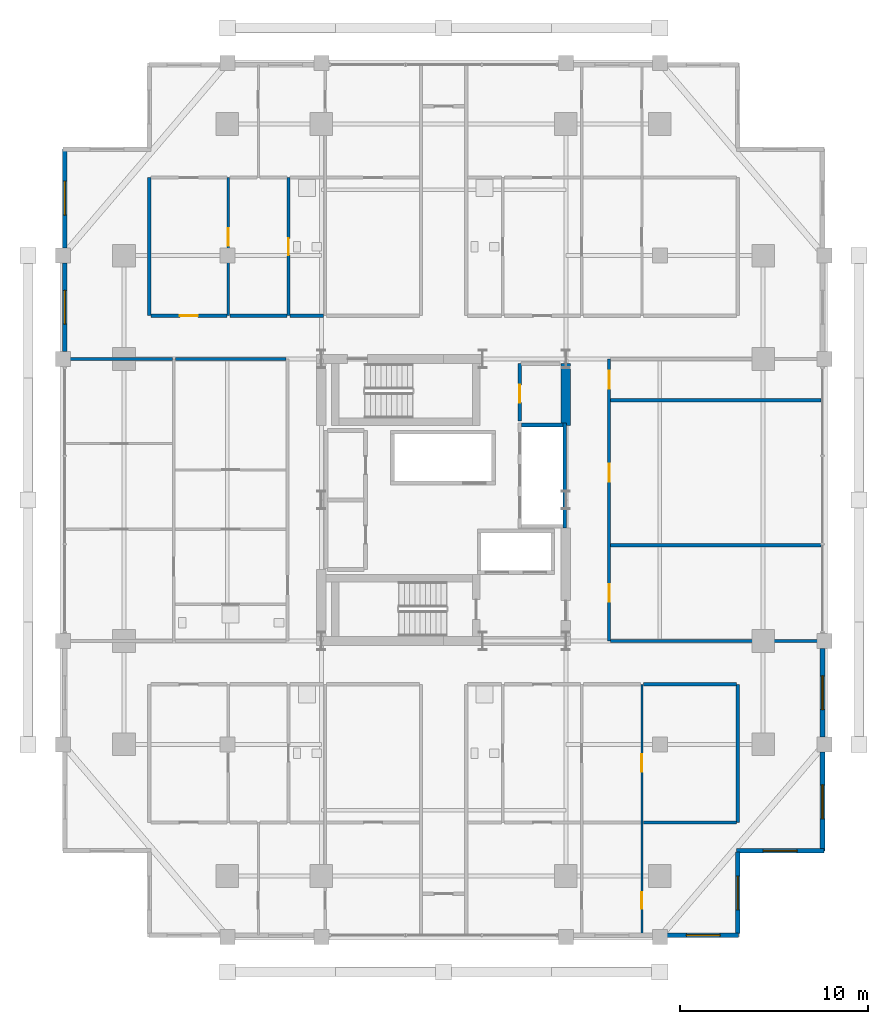
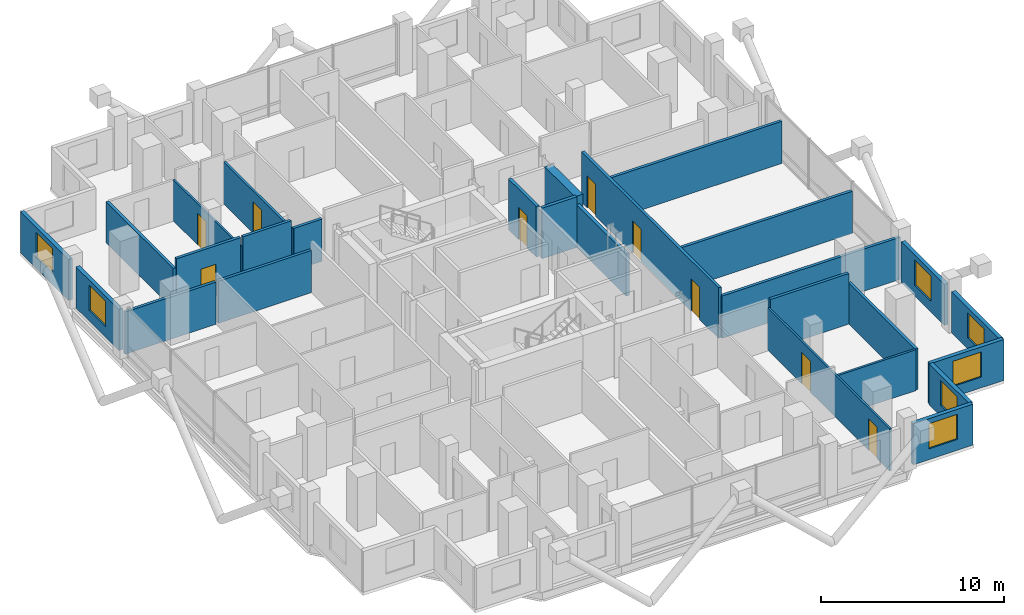
# One storey, part 19 of 23: 27 walls, 9 doors, 7 windows, 16 openings.
"""IFC4 building model written with IfcOpenShell, lengths in metres."""

from ifc_helpers import new_model, si_unit, direction, frame, frame_2d, origin, place, context, subcontext, project, spatial, rectangle, extrude, material, layer, layer_set, type_object, element, fill, save


model = new_model("IFC4")

# Units and contexts
model_context = context("Model", 3, precision=1e-05, world=origin(), true_north=direction((0.0, 1.0)))
body_context = subcontext(model_context, "Body", "Model", "MODEL_VIEW")
ifc_project = project(units=[si_unit("LENGTHUNIT", "METRE"), si_unit("AREAUNIT", "SQUARE_METRE"), si_unit("VOLUMEUNIT", "CUBIC_METRE"), si_unit("PLANEANGLEUNIT", "RADIAN"), si_unit("MASSUNIT", "GRAM", prefix="KILO")], contexts=[model_context])

# Site, building, storey
site_placement = place(None, origin())
site = spatial("IfcSite", under=ifc_project, at=site_placement, CompositionType="ELEMENT")
building_placement = place(site_placement, origin())
building = spatial("IfcBuilding", under=site, at=building_placement, Name="Barlavira Tower and Art Museum", CompositionType="ELEMENT")
storey_placement = place(building_placement, frame((0.0, 0.0, 140.39990234375)))
storey = spatial("IfcBuildingStorey", under=building, at=storey_placement, Name="L35", CompositionType="ELEMENT", Elevation=140.39990234375)

# Wall, opening, door
ifc_material_1 = material(Name="Gypsum acoustic stud partition", Category="gypsum")
ifc_layer_1 = layer(ifc_material_1, 0.1201171875, Name="Gypsum acoustic stud partition")
ifc_layer_set_1 = layer_set([ifc_layer_1], Name="Gypsum acoustic stud partition")
wall_type_1 = type_object("IfcWallType", Name="Apartment Internal Acoustic Partition 120", PredefinedType="PARTITIONING", material=ifc_layer_set_1)
wall_1_placement = place(storey_placement, frame((-11.449951171875, 9.800048828125, 0.0), z_axis=(0.0, 0.0, 1.0), x_axis=(0.0, 1.0, 0.0)))
wall_1 = element("IfcWall", 1, at=wall_1_placement, inside=storey, type_object=wall_type_1, Name="L35 Partition Wall 5", PredefinedType="PARTITIONING", context=body_context, shape_type="SweptSolid", body=[
    extrude(rectangle(XDim=7.349853515625, YDim=0.1201171875, at=frame_2d((3.6748046875, 0.0))), origin(), (0.0, 0.0, 1.0), 2.736083984375),
])
opening_1_placement = place(wall_1_placement, frame((3.71337890625, 0.0, 0.0)))
opening_1 = element("IfcOpeningElement", 2, at=opening_1_placement, cuts=wall_1, Name="Opening D-02", PredefinedType="OPENING", context=body_context, shape_type="SweptSolid", body=[
    extrude(rectangle(XDim=0.949951171875, YDim=2.10009765625, at=frame_2d((0.47509765625, 1.050048828125))), frame((0.0, 0.070068359375, 0.0), z_axis=(0.0, -1.0, 0.0), x_axis=(1.0, 0.0, 0.0)), (0.0, 0.0, 1.0), 0.14013671875),
])
ifc_material_2 = material(Name="Engineered coastal hardwood", Category="wood")
door_type_1 = type_object("IfcDoorType", Name="Living and Salon Glazed-Leaf Door 950x2100", OperationType="NOTDEFINED", PredefinedType="DOOR", material=ifc_material_2)
door_1_placement = place(opening_1_placement, origin())
door_1 = element("IfcDoor", 3, at=door_1_placement, inside=storey, type_object=door_type_1, Name="Apartment NW1 Kitchen Door", OperationType="SINGLE_SWING_RIGHT", OverallHeight=2.10009765625, OverallWidth=0.949951171875, PredefinedType="DOOR", context=body_context, shape_type="SweptSolid", body=[
    extrude(rectangle(XDim=0.949951171875, YDim=2.10009765625, at=frame_2d((0.47509765625, 1.050048828125))), frame((0.0, 0.02490234375, 0.0), z_axis=(0.0, -1.0, 0.0), x_axis=(1.0, 0.0, 0.0)), (0.0, 0.0, 1.0), 0.050048828125),
])
fill(opening_1, door_1)

# Wall, openings, doors
wall_2_placement = place(storey_placement, frame((10.550048828125, -23.14990234375, 0.0), z_axis=(0.0, 0.0, 1.0), x_axis=(0.0, 1.0, 0.0)))
wall_2 = element("IfcWall", 4, at=wall_2_placement, inside=storey, type_object=wall_type_1, Name="L35 Partition Wall 25", PredefinedType="PARTITIONING", context=body_context, shape_type="SweptSolid", body=[
    extrude(rectangle(XDim=13.349853515625, YDim=0.1201171875, at=frame_2d((6.6748046875, 0.0))), origin(), (0.0, 0.0, 1.0), 2.816162109375),
])
opening_2_placement = place(wall_2_placement, frame((8.686767578125, 0.0, 0.0)))
opening_2 = element("IfcOpeningElement", 5, at=opening_2_placement, cuts=wall_2, Name="Opening D-02", PredefinedType="OPENING", context=body_context, shape_type="SweptSolid", body=[
    extrude(rectangle(XDim=0.949951171875, YDim=2.10009765625, at=frame_2d((0.47509765625, 1.050048828125))), frame((0.0, 0.070068359375, 0.0), z_axis=(0.0, -1.0, 0.0), x_axis=(1.0, 0.0, 0.0)), (0.0, 0.0, 1.0), 0.14013671875),
])
opening_3_placement = place(wall_2_placement, frame((1.39892578125, 0.0, 0.0)))
opening_3 = element("IfcOpeningElement", 6, at=opening_3_placement, cuts=wall_2, Name="Opening D-01", PredefinedType="OPENING", context=body_context, shape_type="SweptSolid", body=[
    extrude(rectangle(XDim=0.89990234375, YDim=2.10009765625, at=frame_2d((0.449951171875, 1.050048828125))), frame((0.0, 0.070068359375, 0.0), z_axis=(0.0, -1.0, 0.0), x_axis=(1.0, 0.0, 0.0)), (0.0, 0.0, 1.0), 0.14013671875),
])
door_type_2 = type_object("IfcDoorType", Name="Internal Bedroom Timber Flush Door 900x2100", OperationType="NOTDEFINED", PredefinedType="DOOR", material=ifc_material_2)
door_2_placement = place(opening_3_placement, origin())
door_2 = element("IfcDoor", 7, at=door_2_placement, inside=storey, type_object=door_type_2, Name="Apartment SE1 Bedroom 2 Door", OperationType="SINGLE_SWING_LEFT", OverallHeight=2.10009765625, OverallWidth=0.89990234375, PredefinedType="DOOR", context=body_context, shape_type="SweptSolid", body=[
    extrude(rectangle(XDim=0.89990234375, YDim=2.10009765625, at=frame_2d((0.449951171875, 1.050048828125))), frame((0.0, 0.02490234375, 0.0), z_axis=(0.0, -1.0, 0.0), x_axis=(1.0, 0.0, 0.0)), (0.0, 0.0, 1.0), 0.050048828125),
])
fill(opening_3, door_2)
door_3_placement = place(opening_2_placement, origin())
door_3 = element("IfcDoor", 8, at=door_3_placement, inside=storey, type_object=door_type_1, Name="Apartment SE1 Dining Salon Door", OperationType="SINGLE_SWING_RIGHT", OverallHeight=2.10009765625, OverallWidth=0.949951171875, PredefinedType="DOOR", context=body_context, shape_type="SweptSolid", body=[
    extrude(rectangle(XDim=0.949951171875, YDim=2.10009765625, at=frame_2d((0.47509765625, 1.050048828125))), frame((0.0, 0.02490234375, 0.0), z_axis=(0.0, -1.0, 0.0), x_axis=(1.0, 0.0, 0.0)), (0.0, 0.0, 1.0), 0.050048828125),
])
fill(opening_2, door_3)

# Walls
ifc_material_3 = material(Name="Concrete C60", Category="concrete")
ifc_layer_2 = layer(ifc_material_3, 0.5, Name="Concrete C60")
ifc_layer_set_2 = layer_set([ifc_layer_2], Name="Concrete C60")
wall_type_2 = type_object("IfcWallType", Name="Core Structural Shear Wall 500 Concrete C60", PredefinedType="SHEAR", material=ifc_layer_set_2)
wall_3_placement = place(storey_placement, frame((6.5, 3.949951171875, 0.0), z_axis=(0.0, 0.0, 1.0), x_axis=(0.0, 1.0, 0.0)))
element("IfcWall", 9, at=wall_3_placement, inside=storey, type_object=wall_type_2, Name="L35 Core Shear Wall CS-E2", PredefinedType="SHEAR", context=body_context, shape_type="SweptSolid", body=[
    extrude(rectangle(XDim=3.300048828125, YDim=0.5, at=frame_2d((1.64990234375, 0.0))), origin(), (0.0, 0.0, 1.0), 3.380126953125),
])
ifc_material_4 = material(Name="Autoclaved aerated concrete masonry", Category="masonry")
ifc_layer_3 = layer(ifc_material_4, 0.199951171875, Name="Autoclaved aerated concrete masonry")
ifc_layer_set_3 = layer_set([ifc_layer_3], Name="Autoclaved aerated concrete masonry")
wall_type_3 = type_object("IfcWallType", Name="Fire Compartment and Shaft Wall 200", PredefinedType="SOLIDWALL", material=ifc_layer_set_3)
wall_4_placement = place(storey_placement, frame((6.449951171875, -1.489990234375, 0.0), z_axis=(0.0, 0.0, 1.0), x_axis=(0.0, 1.0, 0.0)))
element("IfcWall", 10, at=wall_4_placement, inside=storey, type_object=wall_type_3, Name="L35 Mid-Rise Lift Back Shaft Wall", PredefinedType="SOLIDWALL", context=body_context, shape_type="SweptSolid", body=[
    extrude(rectangle(XDim=5.580078125, YDim=0.199951171875, at=frame_2d((2.7900390625, 0.0))), origin(), (0.0, 0.0, 1.0), 2.816162109375),
])
wall_5_placement = place(storey_placement, frame((4.14990234375, 3.989990234375, 0.0), z_axis=(0.0, 0.0, 1.0), x_axis=(1.0, 0.0, 0.0)))
element("IfcWall", 11, at=wall_5_placement, inside=storey, type_object=wall_type_3, Name="L35 Mid-Rise Lift North Shaft Wall", PredefinedType="SOLIDWALL", context=body_context, shape_type="SweptSolid", body=[
    extrude(rectangle(XDim=2.2001953125, YDim=0.199951171875, at=frame_2d((1.10009765625, 0.0))), origin(), (0.0, 0.0, 1.0), 3.380126953125),
])

# Wall, opening, door
wall_6_placement = place(storey_placement, frame((4.050048828125, 4.199951171875, 0.0), z_axis=(0.0, 0.0, 1.0), x_axis=(0.0, 1.0, 0.0)))
wall_6 = element("IfcWall", 12, at=wall_6_placement, inside=storey, type_object=wall_type_3, Name="L35 Partition Wall 21", PredefinedType="SOLIDWALL", context=body_context, shape_type="SweptSolid", body=[
    extrude(rectangle(XDim=3.050048828125, YDim=0.199951171875, at=frame_2d((1.52490234375, 0.0))), origin(), (0.0, 0.0, 1.0), 3.380126953125),
])
opening_4_placement = place(wall_6_placement, frame((0.97509765625, 0.0, 0.0)))
opening_4 = element("IfcOpeningElement", 13, at=opening_4_placement, cuts=wall_6, Name="Opening FD-60", PredefinedType="OPENING", context=body_context, shape_type="SweptSolid", body=[
    extrude(rectangle(XDim=0.949951171875, YDim=2.14990234375, at=frame_2d((0.47509765625, 1.074951171875))), frame((0.0, 0.10986328125, 0.0), z_axis=(0.0, -1.0, 0.0), x_axis=(1.0, 0.0, 0.0)), (0.0, 0.0, 1.0), 0.219970703125),
])
ifc_material_5 = material(Name="Brushed stainless steel", Category="steel")
door_type_3 = type_object("IfcDoorType", Name="Apartment Entrance and Riser Fire Door 950x2150 FD60S", OperationType="NOTDEFINED", PredefinedType="DOOR", material=ifc_material_5)
door_4_placement = place(opening_4_placement, origin())
door_4 = element("IfcDoor", 14, at=door_4_placement, inside=storey, type_object=door_type_3, Name="Combined Electrical and Telecom Plant Room Door", OperationType="SINGLE_SWING_RIGHT", OverallHeight=2.14990234375, OverallWidth=0.949951171875, PredefinedType="DOOR", context=body_context, shape_type="SweptSolid", body=[
    extrude(rectangle(XDim=0.949951171875, YDim=2.14990234375, at=frame_2d((0.47509765625, 1.074951171875))), frame((0.0, 0.02490234375, 0.0), z_axis=(0.0, -1.0, 0.0), x_axis=(1.0, 0.0, 0.0)), (0.0, 0.0, 1.0), 0.050048828125),
])
fill(opening_4, door_4)

# Wall
ifc_layer_4 = layer(ifc_material_1, 0.179931640625, Name="Gypsum acoustic stud partition")
ifc_layer_set_4 = layer_set([ifc_layer_4], Name="Gypsum acoustic stud partition")
wall_type_4 = type_object("IfcWallType", Name="Inter-Tenancy Party Partition Wall 180", PredefinedType="PARTITIONING", material=ifc_layer_set_4)
wall_7_placement = place(storey_placement, frame((-15.64990234375, 9.800048828125, 0.0), z_axis=(0.0, 0.0, 1.0), x_axis=(0.0, 1.0, 0.0)))
element("IfcWall", 15, at=wall_7_placement, inside=storey, type_object=wall_type_4, Name="L35 Partition Wall 2", PredefinedType="PARTITIONING", context=body_context, shape_type="SweptSolid", body=[
    extrude(rectangle(XDim=7.349853515625, YDim=0.179931640625, at=frame_2d((3.6748046875, 0.0))), origin(), (0.0, 0.0, 1.0), 2.736083984375),
])

# Wall, openings, doors
wall_8_placement = place(storey_placement, frame((8.800048828125, -7.5, 0.0), z_axis=(0.0, 0.0, 1.0), x_axis=(0.0, 1.0, 0.0)))
wall_8 = element("IfcWall", 16, at=wall_8_placement, inside=storey, type_object=wall_type_4, Name="L35 Partition Wall 24", PredefinedType="PARTITIONING", context=body_context, shape_type="SweptSolid", body=[
    extrude(rectangle(XDim=15.0, YDim=0.179931640625, at=frame_2d((7.5, 0.0))), origin(), (0.0, 0.0, 1.0), 3.380126953125),
])
opening_5_placement = place(wall_8_placement, frame((2.074951171875, 0.0, 0.0)))
opening_5 = element("IfcOpeningElement", 17, at=opening_5_placement, cuts=wall_8, Name="Opening FD-60", PredefinedType="OPENING", context=body_context, shape_type="SweptSolid", body=[
    extrude(rectangle(XDim=0.949951171875, YDim=2.14990234375, at=frame_2d((0.47509765625, 1.074951171875))), frame((0.0, 0.10009765625, 0.0), z_axis=(0.0, -1.0, 0.0), x_axis=(1.0, 0.0, 0.0)), (0.0, 0.0, 1.0), 0.199951171875),
])
opening_6_placement = place(wall_8_placement, frame((8.47509765625, 0.0, 0.0)))
opening_6 = element("IfcOpeningElement", 18, at=opening_6_placement, cuts=wall_8, Name="Opening FD-60", PredefinedType="OPENING", context=body_context, shape_type="SweptSolid", body=[
    extrude(rectangle(XDim=0.949951171875, YDim=2.14990234375, at=frame_2d((0.47509765625, 1.074951171875))), frame((0.0, 0.10009765625, 0.0), z_axis=(0.0, -1.0, 0.0), x_axis=(1.0, 0.0, 0.0)), (0.0, 0.0, 1.0), 0.199951171875),
])
opening_7_placement = place(wall_8_placement, frame((13.425048828125, 0.0, 0.0)))
opening_7 = element("IfcOpeningElement", 19, at=opening_7_placement, cuts=wall_8, Name="Opening FD-60", PredefinedType="OPENING", context=body_context, shape_type="SweptSolid", body=[
    extrude(rectangle(XDim=0.949951171875, YDim=2.14990234375, at=frame_2d((0.47509765625, 1.074951171875))), frame((0.0, 0.10009765625, 0.0), z_axis=(0.0, -1.0, 0.0), x_axis=(1.0, 0.0, 0.0)), (0.0, 0.0, 1.0), 0.199951171875),
])
door_5_placement = place(opening_5_placement, origin())
door_5 = element("IfcDoor", 20, at=door_5_placement, inside=storey, type_object=door_type_3, Name="Resident Rare-Book Reading Room Door", OperationType="SINGLE_SWING_RIGHT", OverallHeight=2.14990234375, OverallWidth=0.949951171875, PredefinedType="DOOR", context=body_context, shape_type="SweptSolid", body=[
    extrude(rectangle(XDim=0.949951171875, YDim=2.14990234375, at=frame_2d((0.47509765625, 1.074951171875))), frame((0.0, 0.02490234375, 0.0), z_axis=(0.0, -1.0, 0.0), x_axis=(1.0, 0.0, 0.0)), (0.0, 0.0, 1.0), 0.050048828125),
])
fill(opening_5, door_5)
door_6_placement = place(opening_6_placement, origin())
door_6 = element("IfcDoor", 21, at=door_6_placement, inside=storey, type_object=door_type_3, Name="Private Coastal Dining Salon Door", OperationType="SINGLE_SWING_LEFT", OverallHeight=2.14990234375, OverallWidth=0.949951171875, PredefinedType="DOOR", context=body_context, shape_type="SweptSolid", body=[
    extrude(rectangle(XDim=0.949951171875, YDim=2.14990234375, at=frame_2d((0.47509765625, 1.074951171875))), frame((0.0, 0.02490234375, 0.0), z_axis=(0.0, -1.0, 0.0), x_axis=(1.0, 0.0, 0.0)), (0.0, 0.0, 1.0), 0.050048828125),
])
fill(opening_6, door_6)
door_7_placement = place(opening_7_placement, origin())
door_7 = element("IfcDoor", 22, at=door_7_placement, inside=storey, type_object=door_type_3, Name="Shared Catering Kitchen Door", OperationType="SINGLE_SWING_RIGHT", OverallHeight=2.14990234375, OverallWidth=0.949951171875, PredefinedType="DOOR", context=body_context, shape_type="SweptSolid", body=[
    extrude(rectangle(XDim=0.949951171875, YDim=2.14990234375, at=frame_2d((0.47509765625, 1.074951171875))), frame((0.0, 0.02490234375, 0.0), z_axis=(0.0, -1.0, 0.0), x_axis=(1.0, 0.0, 0.0)), (0.0, 0.0, 1.0), 0.050048828125),
])
fill(opening_7, door_7)

# Walls
wall_9_placement = place(storey_placement, frame((15.64990234375, -17.14990234375, 0.0), z_axis=(0.0, 0.0, 1.0), x_axis=(0.0, 1.0, 0.0)))
element("IfcWall", 23, at=wall_9_placement, inside=storey, type_object=wall_type_4, Name="L35 Partition Wall 27", PredefinedType="PARTITIONING", context=body_context, shape_type="SweptSolid", body=[
    extrude(rectangle(XDim=7.349853515625, YDim=0.179931640625, at=frame_2d((3.6748046875, 0.0))), origin(), (0.0, 0.0, 1.0), 2.736083984375),
])
wall_10_placement = place(storey_placement, frame((10.6298828125, -9.800048828125, 0.0), z_axis=(0.0, 0.0, 1.0), x_axis=(1.0, 0.0, 0.0)))
element("IfcWall", 24, at=wall_10_placement, inside=storey, type_object=wall_type_4, Name="L35 Partition Wall 46", PredefinedType="PARTITIONING", context=body_context, shape_type="SweptSolid", body=[
    extrude(rectangle(XDim=4.940185546875, YDim=0.179931640625, at=frame_2d((2.47021484375, 0.0))), origin(), (0.0, 0.0, 1.0), 3.380126953125),
])
wall_11_placement = place(storey_placement, frame((8.8798828125, -7.5, 0.0), z_axis=(0.0, 0.0, 1.0), x_axis=(1.0, 0.0, 0.0)))
element("IfcWall", 25, at=wall_11_placement, inside=storey, type_object=wall_type_4, Name="L35 Partition Wall 49", PredefinedType="PARTITIONING", context=body_context, shape_type="SweptSolid", body=[
    extrude(rectangle(XDim=11.27001953125, YDim=0.179931640625, at=frame_2d((5.635009765625, 0.0))), origin(), (0.0, 0.0, 1.0), 2.816162109375),
])
for number, where, z_axis, x_axis, name in (
    (26, (8.8798828125, -2.39990234375, 0.0), (0.0, 0.0, 1.0), (1.0, 0.0, 0.0), "L35 Partition Wall 52"),
    (27, (8.8798828125, 5.300048828125, 0.0), (0.0, 0.0, 1.0), (1.0, 0.0, 0.0), "L35 Partition Wall 59"),
):
    element("IfcWall", number, at=place(storey_placement, frame(where, z_axis=z_axis, x_axis=x_axis)), inside=storey, type_object=wall_type_4, Name=name, PredefinedType="PARTITIONING", context=body_context, shape_type="SweptSolid", body=[
        extrude(rectangle(XDim=11.190185546875, YDim=0.179931640625, at=frame_2d((5.59521484375, 0.0))), origin(), (0.0, 0.0, 1.0), 2.816162109375),
    ])
wall_12_placement = place(storey_placement, frame((-20.14990234375, 7.5, 0.0), z_axis=(0.0, 0.0, 1.0), x_axis=(1.0, 0.0, 0.0)))
element("IfcWall", 28, at=wall_12_placement, inside=storey, type_object=wall_type_4, Name="L35 Partition Wall 61", PredefinedType="PARTITIONING", context=body_context, shape_type="SweptSolid", body=[
    extrude(rectangle(XDim=5.719970703125, YDim=0.179931640625, at=frame_2d((2.85986328125, 0.0))), origin(), (0.0, 0.0, 1.0), 2.816162109375),
])
wall_13_placement = place(storey_placement, frame((-14.27001953125, 7.5, 0.0), z_axis=(0.0, 0.0, 1.0), x_axis=(1.0, 0.0, 0.0)))
element("IfcWall", 29, at=wall_13_placement, inside=storey, type_object=wall_type_4, Name="L35 Partition Wall 62", PredefinedType="PARTITIONING", context=body_context, shape_type="SweptSolid", body=[
    extrude(rectangle(XDim=5.89013671875, YDim=0.179931640625, at=frame_2d((2.945068359375, 0.0))), origin(), (0.0, 0.0, 1.0), 2.816162109375),
])

# Wall, opening, door
wall_14_placement = place(storey_placement, frame((-15.570068359375, 9.800048828125, 0.0), z_axis=(0.0, 0.0, 1.0), x_axis=(1.0, 0.0, 0.0)))
wall_14 = element("IfcWall", 30, at=wall_14_placement, inside=storey, type_object=wall_type_4, Name="L35 Partition Wall 64", PredefinedType="PARTITIONING", context=body_context, shape_type="SweptSolid", body=[
    extrude(rectangle(XDim=4.0400390625, YDim=0.179931640625, at=frame_2d((2.02001953125, 0.0))), origin(), (0.0, 0.0, 1.0), 3.380126953125),
])
opening_8_placement = place(wall_14_placement, frame((1.544921875, 0.0, 0.0)))
opening_8 = element("IfcOpeningElement", 31, at=opening_8_placement, cuts=wall_14, Name="Opening FD-60", PredefinedType="OPENING", context=body_context, shape_type="SweptSolid", body=[
    extrude(rectangle(XDim=0.949951171875, YDim=2.14990234375, at=frame_2d((0.47509765625, 1.074951171875))), frame((0.0, 0.10009765625, 0.0), z_axis=(0.0, -1.0, 0.0), x_axis=(1.0, 0.0, 0.0)), (0.0, 0.0, 1.0), 0.199951171875),
])
door_8_placement = place(opening_8_placement, origin())
door_8 = element("IfcDoor", 32, at=door_8_placement, inside=storey, type_object=door_type_3, Name="Apartment Entrance Hall NW1 Door", OperationType="SINGLE_SWING_LEFT", OverallHeight=2.14990234375, OverallWidth=0.949951171875, PredefinedType="DOOR", context=body_context, shape_type="SweptSolid", body=[
    extrude(rectangle(XDim=0.949951171875, YDim=2.14990234375, at=frame_2d((0.47509765625, 1.074951171875))), frame((0.0, 0.02490234375, 0.0), z_axis=(0.0, -1.0, 0.0), x_axis=(1.0, 0.0, 0.0)), (0.0, 0.0, 1.0), 0.050048828125),
])
fill(opening_8, door_8)

# Walls
wall_15_placement = place(storey_placement, frame((-11.3701171875, 9.800048828125, 0.0), z_axis=(0.0, 0.0, 1.0), x_axis=(1.0, 0.0, 0.0)))
element("IfcWall", 33, at=wall_15_placement, inside=storey, type_object=wall_type_4, Name="L35 Partition Wall 65", PredefinedType="PARTITIONING", context=body_context, shape_type="SweptSolid", body=[
    extrude(rectangle(XDim=3.0400390625, YDim=0.179931640625, at=frame_2d((1.52001953125, 0.0))), origin(), (0.0, 0.0, 1.0), 3.380126953125),
])
wall_16_placement = place(storey_placement, frame((-8.169921875, 9.800048828125, 0.0), z_axis=(0.0, 0.0, 1.0), x_axis=(1.0, 0.0, 0.0)))
element("IfcWall", 34, at=wall_16_placement, inside=storey, type_object=wall_type_4, Name="L35 Partition Wall 66", PredefinedType="PARTITIONING", context=body_context, shape_type="SweptSolid", body=[
    extrude(rectangle(XDim=1.7900390625, YDim=0.179931640625, at=frame_2d((0.89501953125, 0.0))), origin(), (0.0, 0.0, 1.0), 2.816162109375),
])

# Wall, opening, door
ifc_layer_5 = layer(ifc_material_1, 0.139892578125, Name="Gypsum acoustic stud partition")
ifc_layer_set_5 = layer_set([ifc_layer_5], Name="Gypsum acoustic stud partition")
wall_type_5 = type_object("IfcWallType", Name="Moisture-Resistant Bathroom Partition 140", PredefinedType="PARTITIONING", material=ifc_layer_set_5)
wall_17_placement = place(storey_placement, frame((-8.25, 9.800048828125, 0.0), z_axis=(0.0, 0.0, 1.0), x_axis=(0.0, 1.0, 0.0)))
wall_17 = element("IfcWall", 35, at=wall_17_placement, inside=storey, type_object=wall_type_5, Name="L35 Partition Wall 10", PredefinedType="PARTITIONING", context=body_context, shape_type="SweptSolid", body=[
    extrude(rectangle(XDim=7.349853515625, YDim=0.139892578125, at=frame_2d((3.6748046875, 0.0))), origin(), (0.0, 0.0, 1.0), 2.816162109375),
])
opening_9_placement = place(wall_17_placement, frame((3.219970703125, 0.0, 0.0)))
opening_9 = element("IfcOpeningElement", 36, at=opening_9_placement, cuts=wall_17, Name="Opening D-WC", PredefinedType="OPENING", context=body_context, shape_type="SweptSolid", body=[
    extrude(rectangle(XDim=0.89990234375, YDim=2.10009765625, at=frame_2d((0.449951171875, 1.050048828125))), frame((0.0, 0.080078125, 0.0), z_axis=(0.0, -1.0, 0.0), x_axis=(1.0, 0.0, 0.0)), (0.0, 0.0, 1.0), 0.159912109375),
])
door_type_4 = type_object("IfcDoorType", Name="Accessible Bathroom Flush Door 900x2100", OperationType="NOTDEFINED", PredefinedType="DOOR", material=ifc_material_2)
door_9_placement = place(opening_9_placement, origin())
door_9 = element("IfcDoor", 37, at=door_9_placement, inside=storey, type_object=door_type_4, Name="Apartment NW1 Hall Bathroom Door", OperationType="SINGLE_SWING_LEFT", OverallHeight=2.10009765625, OverallWidth=0.89990234375, PredefinedType="DOOR", context=body_context, shape_type="SweptSolid", body=[
    extrude(rectangle(XDim=0.89990234375, YDim=2.10009765625, at=frame_2d((0.449951171875, 1.050048828125))), frame((0.0, 0.02490234375, 0.0), z_axis=(0.0, -1.0, 0.0), x_axis=(1.0, 0.0, 0.0)), (0.0, 0.0, 1.0), 0.050048828125),
])
fill(opening_9, door_9)

# Wall
wall_18_placement = place(storey_placement, frame((10.6298828125, -17.14990234375, 0.0), z_axis=(0.0, 0.0, 1.0), x_axis=(1.0, 0.0, 0.0)))
element("IfcWall", 38, at=wall_18_placement, inside=storey, type_object=wall_type_5, Name="L35 Partition Wall 38", PredefinedType="PARTITIONING", context=body_context, shape_type="SweptSolid", body=[
    extrude(rectangle(XDim=4.940185546875, YDim=0.139892578125, at=frame_2d((2.47021484375, 0.0))), origin(), (0.0, 0.0, 1.0), 2.736083984375),
])

# Wall, opening, window
ifc_material_6 = material(Name="Precast concrete C40", Category="concrete")
ifc_layer_6 = layer(ifc_material_6, 0.25, Name="Precast concrete C40")
ifc_layer_set_6 = layer_set([ifc_layer_6], Name="Precast concrete C40")
wall_type_6 = type_object("IfcWallType", Name="Notched Corner Spandrel Wall 250 Precast Concrete C40", PredefinedType="SOLIDWALL", material=ifc_layer_set_6)
wall_19_placement = place(storey_placement, frame((11.89501953125, -23.14990234375, 0.0), z_axis=(0.0, 0.0, 1.0), x_axis=(1.0, 0.0, 0.0)))
wall_19 = element("IfcWall", 39, at=wall_19_placement, inside=storey, type_object=wall_type_6, Name="L35 Coastal Facade Pier Wall CW2-L35-S-5", PredefinedType="SOLIDWALL", context=body_context, shape_type="SweptSolid", body=[
    extrude(rectangle(XDim=3.780029296875, YDim=0.25, at=frame_2d((1.89013671875, 0.0))), origin(), (0.0, 0.0, 1.0), 2.736083984375),
])
opening_10_placement = place(wall_19_placement, frame((1.012939453125, 0.0, 0.719970703125)))
opening_10 = element("IfcOpeningElement", 40, at=opening_10_placement, cuts=wall_19, Name="Opening WN-01", PredefinedType="OPENING", context=body_context, shape_type="SweptSolid", body=[
    extrude(rectangle(XDim=1.800048828125, YDim=1.679931640625, at=frame_2d((0.89990234375, 0.83984375))), frame((0.0, 0.135009765625, 0.0), z_axis=(0.0, -1.0, 0.0), x_axis=(1.0, 0.0, 0.0)), (0.0, 0.0, 1.0), 0.27001953125),
])
ifc_material_7 = material(Name="Low-iron coastal laminated glass", Category="glass")
window_type = type_object("IfcWindowType", Name="Recessed Notch Corner Punch Window 1800x1680", PartitioningType="SINGLE_PANEL", PredefinedType="WINDOW", material=ifc_material_7)
window_1_placement = place(opening_10_placement, origin())
window_1 = element("IfcWindow", 41, at=window_1_placement, inside=storey, type_object=window_type, Name="L35 Punched Facade Window EWP-CW2-L35-S-5-1", OverallHeight=1.679931640625, OverallWidth=1.800048828125, PartitioningType="SINGLE_PANEL", PredefinedType="WINDOW", context=body_context, shape_type="SweptSolid", body=[
    extrude(rectangle(XDim=1.800048828125, YDim=1.679931640625, at=frame_2d((0.89990234375, 0.83984375))), frame((0.0, 0.030029296875, 0.0), z_axis=(0.0, -1.0, 0.0), x_axis=(1.0, 0.0, 0.0)), (0.0, 0.0, 1.0), 0.06005859375),
])
fill(opening_10, window_1)

wall_20_placement = place(storey_placement, frame((-20.14990234375, 18.675048828125, 0.0), z_axis=(0.0, 0.0, 1.0), x_axis=(0.0, -1.0, 0.0)))
wall_20 = element("IfcWall", 42, at=wall_20_placement, inside=storey, type_object=wall_type_6, Name="L35 Coastal Facade Pier Wall CW2-L35-W-1", PredefinedType="SOLIDWALL", context=body_context, shape_type="SweptSolid", body=[
    extrude(rectangle(XDim=5.280029296875, YDim=0.25, at=frame_2d((2.64013671875, 0.0))), origin(), (0.0, 0.0, 1.0), 2.736083984375),
])
opening_11_placement = place(wall_20_placement, frame((1.718017578125, 0.0, 0.719970703125)))
opening_11 = element("IfcOpeningElement", 43, at=opening_11_placement, cuts=wall_20, Name="Opening WN-01", PredefinedType="OPENING", context=body_context, shape_type="SweptSolid", body=[
    extrude(rectangle(XDim=1.800048828125, YDim=1.679931640625, at=frame_2d((0.89990234375, 0.83984375))), frame((0.0, 0.135009765625, 0.0), z_axis=(0.0, -1.0, 0.0), x_axis=(1.0, 0.0, 0.0)), (0.0, 0.0, 1.0), 0.27001953125),
])
window_2_placement = place(opening_11_placement, origin())
window_2 = element("IfcWindow", 44, at=window_2_placement, inside=storey, type_object=window_type, Name="L35 Punched Facade Window EWP-CW2-L35-W-1-1", OverallHeight=1.679931640625, OverallWidth=1.800048828125, PartitioningType="SINGLE_PANEL", PredefinedType="WINDOW", context=body_context, shape_type="SweptSolid", body=[
    extrude(rectangle(XDim=1.800048828125, YDim=1.679931640625, at=frame_2d((0.89990234375, 0.83984375))), frame((0.0, 0.030029296875, 0.0), z_axis=(0.0, -1.0, 0.0), x_axis=(1.0, 0.0, 0.0)), (0.0, 0.0, 1.0), 0.06005859375),
])
fill(opening_11, window_2)

wall_21_placement = place(storey_placement, frame((-20.14990234375, 12.60498046875, 0.0), z_axis=(0.0, 0.0, 1.0), x_axis=(0.0, -1.0, 0.0)))
wall_21 = element("IfcWall", 45, at=wall_21_placement, inside=storey, type_object=wall_type_6, Name="L35 Coastal Facade Pier Wall CW2-L35-W-2", PredefinedType="SOLIDWALL", context=body_context, shape_type="SweptSolid", body=[
    extrude(rectangle(XDim=4.7099609375, YDim=0.25, at=frame_2d((2.35498046875, 0.0))), origin(), (0.0, 0.0, 1.0), 2.736083984375),
])
opening_12_placement = place(wall_21_placement, frame((1.455078125, 0.0, 0.719970703125)))
opening_12 = element("IfcOpeningElement", 46, at=opening_12_placement, cuts=wall_21, Name="Opening WN-01", PredefinedType="OPENING", context=body_context, shape_type="SweptSolid", body=[
    extrude(rectangle(XDim=1.800048828125, YDim=1.679931640625, at=frame_2d((0.89990234375, 0.83984375))), frame((0.0, 0.135009765625, 0.0), z_axis=(0.0, -1.0, 0.0), x_axis=(1.0, 0.0, 0.0)), (0.0, 0.0, 1.0), 0.27001953125),
])
window_3_placement = place(opening_12_placement, origin())
window_3 = element("IfcWindow", 47, at=window_3_placement, inside=storey, type_object=window_type, Name="L35 Punched Facade Window EWP-CW2-L35-W-2-1", OverallHeight=1.679931640625, OverallWidth=1.800048828125, PartitioningType="SINGLE_PANEL", PredefinedType="WINDOW", context=body_context, shape_type="SweptSolid", body=[
    extrude(rectangle(XDim=1.800048828125, YDim=1.679931640625, at=frame_2d((0.89990234375, 0.83984375))), frame((0.0, 0.030029296875, 0.0), z_axis=(0.0, -1.0, 0.0), x_axis=(1.0, 0.0, 0.0)), (0.0, 0.0, 1.0), 0.06005859375),
])
fill(opening_12, window_3)

wall_22_placement = place(storey_placement, frame((20.14990234375, -18.675048828125, 0.0), z_axis=(0.0, 0.0, 1.0), x_axis=(0.0, 1.0, 0.0)))
wall_22 = element("IfcWall", 48, at=wall_22_placement, inside=storey, type_object=wall_type_6, Name="L35 Coastal Facade Pier Wall CW2-L35-E-1", PredefinedType="SOLIDWALL", context=body_context, shape_type="SweptSolid", body=[
    extrude(rectangle(XDim=5.280029296875, YDim=0.25, at=frame_2d((2.64013671875, 0.0))), origin(), (0.0, 0.0, 1.0), 2.736083984375),
])
opening_13_placement = place(wall_22_placement, frame((1.718017578125, 0.0, 0.719970703125)))
opening_13 = element("IfcOpeningElement", 49, at=opening_13_placement, cuts=wall_22, Name="Opening WN-01", PredefinedType="OPENING", context=body_context, shape_type="SweptSolid", body=[
    extrude(rectangle(XDim=1.800048828125, YDim=1.679931640625, at=frame_2d((0.89990234375, 0.83984375))), frame((0.0, 0.135009765625, 0.0), z_axis=(0.0, -1.0, 0.0), x_axis=(1.0, 0.0, 0.0)), (0.0, 0.0, 1.0), 0.27001953125),
])
window_4_placement = place(opening_13_placement, origin())
window_4 = element("IfcWindow", 50, at=window_4_placement, inside=storey, type_object=window_type, Name="L35 Punched Facade Window EWP-CW2-L35-E-1-1", OverallHeight=1.679931640625, OverallWidth=1.800048828125, PartitioningType="SINGLE_PANEL", PredefinedType="WINDOW", context=body_context, shape_type="SweptSolid", body=[
    extrude(rectangle(XDim=1.800048828125, YDim=1.679931640625, at=frame_2d((0.89990234375, 0.83984375))), frame((0.0, 0.030029296875, 0.0), z_axis=(0.0, -1.0, 0.0), x_axis=(1.0, 0.0, 0.0)), (0.0, 0.0, 1.0), 0.06005859375),
])
fill(opening_13, window_4)

wall_23_placement = place(storey_placement, frame((20.14990234375, -12.60498046875, 0.0), z_axis=(0.0, 0.0, 1.0), x_axis=(0.0, 1.0, 0.0)))
wall_23 = element("IfcWall", 51, at=wall_23_placement, inside=storey, type_object=wall_type_6, Name="L35 Coastal Facade Pier Wall CW2-L35-E-2", PredefinedType="SOLIDWALL", context=body_context, shape_type="SweptSolid", body=[
    extrude(rectangle(XDim=4.7099609375, YDim=0.25, at=frame_2d((2.35498046875, 0.0))), origin(), (0.0, 0.0, 1.0), 2.736083984375),
])
opening_14_placement = place(wall_23_placement, frame((1.455078125, 0.0, 0.719970703125)))
opening_14 = element("IfcOpeningElement", 52, at=opening_14_placement, cuts=wall_23, Name="Opening WN-01", PredefinedType="OPENING", context=body_context, shape_type="SweptSolid", body=[
    extrude(rectangle(XDim=1.800048828125, YDim=1.679931640625, at=frame_2d((0.89990234375, 0.83984375))), frame((0.0, 0.135009765625, 0.0), z_axis=(0.0, -1.0, 0.0), x_axis=(1.0, 0.0, 0.0)), (0.0, 0.0, 1.0), 0.27001953125),
])
window_5_placement = place(opening_14_placement, origin())
window_5 = element("IfcWindow", 53, at=window_5_placement, inside=storey, type_object=window_type, Name="L35 Punched Facade Window EWP-CW2-L35-E-2-1", OverallHeight=1.679931640625, OverallWidth=1.800048828125, PartitioningType="SINGLE_PANEL", PredefinedType="WINDOW", context=body_context, shape_type="SweptSolid", body=[
    extrude(rectangle(XDim=1.800048828125, YDim=1.679931640625, at=frame_2d((0.89990234375, 0.83984375))), frame((0.0, 0.030029296875, 0.0), z_axis=(0.0, -1.0, 0.0), x_axis=(1.0, 0.0, 0.0)), (0.0, 0.0, 1.0), 0.06005859375),
])
fill(opening_14, window_5)

wall_24_placement = place(storey_placement, frame((15.64990234375, -23.070068359375, 0.0), z_axis=(0.0, 0.0, 1.0), x_axis=(0.0, 1.0, 0.0)))
wall_24 = element("IfcWall", 54, at=wall_24_placement, inside=storey, type_object=wall_type_6, Name="L35 Notch Corner Wall SE1", PredefinedType="SOLIDWALL", context=body_context, shape_type="SweptSolid", body=[
    extrude(rectangle(XDim=4.340087890625, YDim=0.25, at=frame_2d((2.169921875, 0.0))), origin(), (0.0, 0.0, 1.0), 2.736083984375),
])
opening_15_placement = place(wall_24_placement, frame((1.27001953125, 0.0, 0.719970703125)))
opening_15 = element("IfcOpeningElement", 55, at=opening_15_placement, cuts=wall_24, Name="Opening WN-01", PredefinedType="OPENING", context=body_context, shape_type="SweptSolid", body=[
    extrude(rectangle(XDim=1.800048828125, YDim=1.679931640625, at=frame_2d((0.89990234375, 0.83984375))), frame((0.0, 0.135009765625, 0.0), z_axis=(0.0, -1.0, 0.0), x_axis=(1.0, 0.0, 0.0)), (0.0, 0.0, 1.0), 0.27001953125),
])
window_6_placement = place(opening_15_placement, origin())
window_6 = element("IfcWindow", 56, at=window_6_placement, inside=storey, type_object=window_type, Name="L35 Punched Facade Window EW-NTC-L35-SE1-1", OverallHeight=1.679931640625, OverallWidth=1.800048828125, PartitioningType="SINGLE_PANEL", PredefinedType="WINDOW", context=body_context, shape_type="SweptSolid", body=[
    extrude(rectangle(XDim=1.800048828125, YDim=1.679931640625, at=frame_2d((0.89990234375, 0.83984375))), frame((0.0, 0.030029296875, 0.0), z_axis=(0.0, -1.0, 0.0), x_axis=(1.0, 0.0, 0.0)), (0.0, 0.0, 1.0), 0.06005859375),
])
fill(opening_15, window_6)

wall_25_placement = place(storey_placement, frame((15.570068359375, -18.64990234375, 0.0), z_axis=(0.0, 0.0, 1.0), x_axis=(1.0, 0.0, 0.0)))
wall_25 = element("IfcWall", 57, at=wall_25_placement, inside=storey, type_object=wall_type_6, Name="L35 Notch Corner Wall SE2", PredefinedType="SOLIDWALL", context=body_context, shape_type="SweptSolid", body=[
    extrude(rectangle(XDim=4.659912109375, YDim=0.25, at=frame_2d((2.330078125, 0.0))), origin(), (0.0, 0.0, 1.0), 2.736083984375),
])
opening_16_placement = place(wall_25_placement, frame((1.429931640625, 0.0, 0.719970703125)))
opening_16 = element("IfcOpeningElement", 58, at=opening_16_placement, cuts=wall_25, Name="Opening WN-01", PredefinedType="OPENING", context=body_context, shape_type="SweptSolid", body=[
    extrude(rectangle(XDim=1.800048828125, YDim=1.679931640625, at=frame_2d((0.89990234375, 0.83984375))), frame((0.0, 0.135009765625, 0.0), z_axis=(0.0, -1.0, 0.0), x_axis=(1.0, 0.0, 0.0)), (0.0, 0.0, 1.0), 0.27001953125),
])
window_7_placement = place(opening_16_placement, origin())
window_7 = element("IfcWindow", 59, at=window_7_placement, inside=storey, type_object=window_type, Name="L35 Punched Facade Window EW-NTC-L35-SE2-1", OverallHeight=1.679931640625, OverallWidth=1.800048828125, PartitioningType="SINGLE_PANEL", PredefinedType="WINDOW", context=body_context, shape_type="SweptSolid", body=[
    extrude(rectangle(XDim=1.800048828125, YDim=1.679931640625, at=frame_2d((0.89990234375, 0.83984375))), frame((0.0, 0.030029296875, 0.0), z_axis=(0.0, -1.0, 0.0), x_axis=(1.0, 0.0, 0.0)), (0.0, 0.0, 1.0), 0.06005859375),
])
fill(opening_16, window_7)

save(model, "model.ifc")
